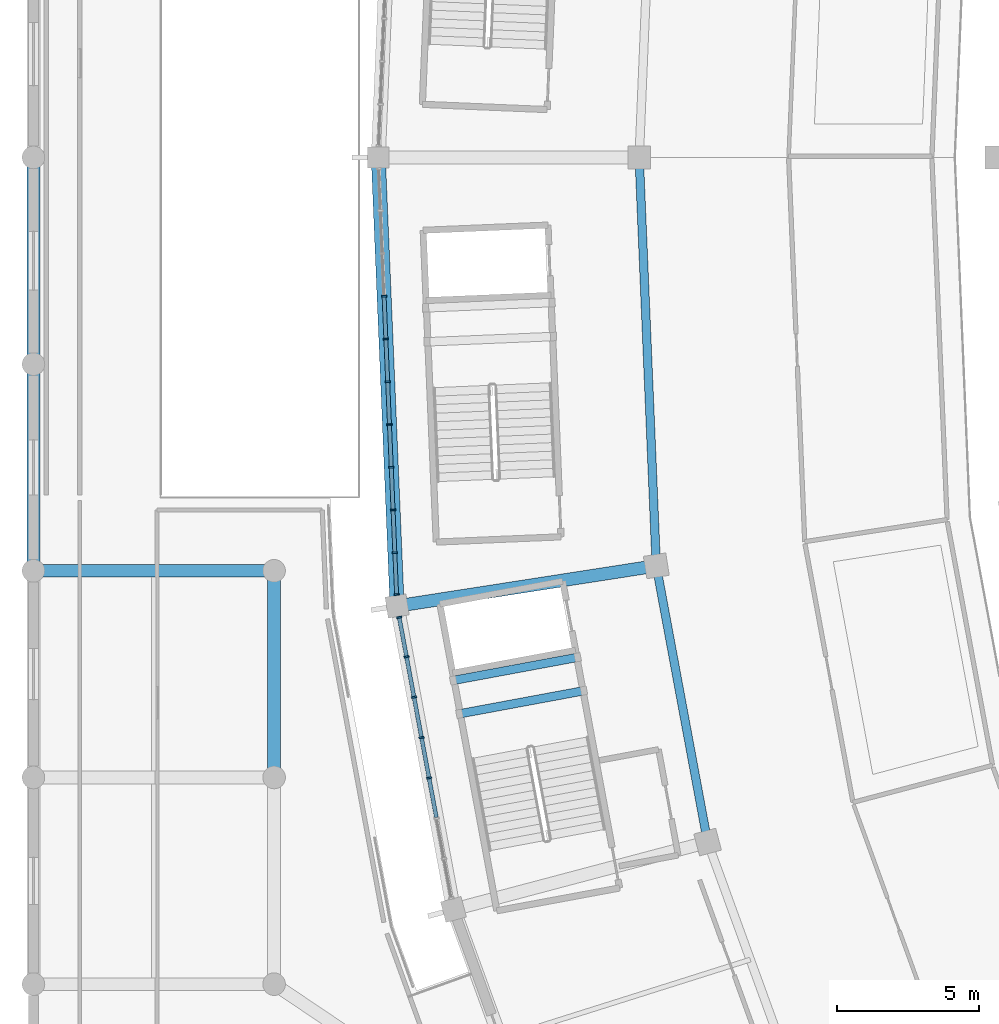
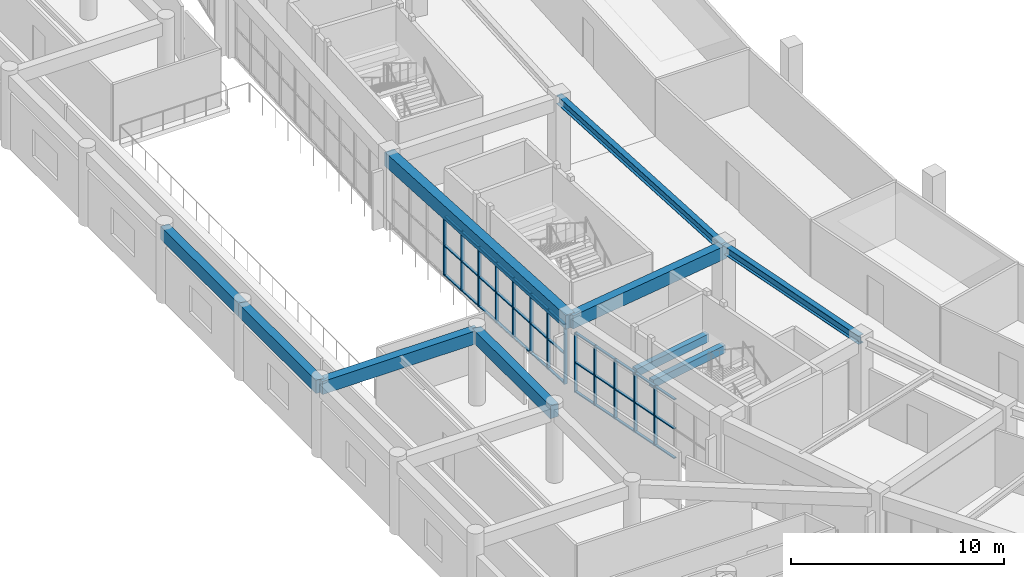
# One storey, part 27 of 141: 49 members, 10 beams, 2 elements without a shape of their own.
"""IFC4 building model written with IfcOpenShell, lengths in metres."""

from ifc_helpers import new_model, si_unit, direction, frame, origin, origin_2d, place, context, subcontext, project, spatial, rectangle, i_section, extrude, material, layer, layer_set, material_profile, profile_set, type_object, element, aggregate, save


model = new_model("IFC4")

# Units and contexts
model_context = context("Model", 3, precision=1e-05, world=origin(), true_north=direction((0.0, 1.0)))
body_context = subcontext(model_context, "Body", "Model", "MODEL_VIEW")
ifc_project = project(units=[si_unit("LENGTHUNIT", "METRE"), si_unit("AREAUNIT", "SQUARE_METRE"), si_unit("VOLUMEUNIT", "CUBIC_METRE"), si_unit("PLANEANGLEUNIT", "RADIAN"), si_unit("MASSUNIT", "GRAM", prefix="KILO")], contexts=[model_context])

# Site, building, storey
site_placement = place(None, origin())
site = spatial("IfcSite", under=ifc_project, at=site_placement, CompositionType="ELEMENT")
building_placement = place(site_placement, origin())
building = spatial("IfcBuilding", under=site, at=building_placement, Name="Mphavela Belvedere Stadium", CompositionType="ELEMENT")
storey_placement = place(building_placement, frame((0.0, 0.0, 14.699951171875)))
storey = spatial("IfcBuildingStorey", under=building, at=storey_placement, Name="L03", CompositionType="ELEMENT", Elevation=14.699951171875)

# Beams
ifc_material_1 = material(Name="Concrete C40/50", Category="concrete")
ifc_material_profile_1 = material_profile(ifc_material_1, rectangle(XDim=0.300048828125, YDim=0.449951171875, at=origin_2d()), Name="RC 300x450")
ifc_profile_set_1 = profile_set([ifc_material_profile_1], Name="Concrete C40/50")
beam_type_1 = type_object("IfcBeamType", Name="BM-RC300x450", PredefinedType="BEAM", material=ifc_profile_set_1)
beam_1_placement = place(storey_placement, frame((19.440673828125, 68.16357421875, 1.824951171875), z_axis=(-0.9831891563, -0.182589931088, 0.0), x_axis=(0.182589931088, -0.9831891563, 0.0)))
element("IfcBeam", 1, at=beam_1_placement, inside=storey, type_object=beam_type_1, Name="Core C09 landing trimmer beam L03-1", PredefinedType="BEAM", context=body_context, shape_type="SweptSolid", body=[
    extrude(rectangle(XDim=0.300048828125, YDim=0.449951171875, at=origin_2d()), origin(), (0.0, 0.0, 1.0), 4.469970703125),
])
beam_2_placement = place(storey_placement, frame((19.2216796875, 69.343505859375, 1.824951171875), z_axis=(-0.983190977087, -0.182580126453, 0.0), x_axis=(0.182580126453, -0.983190977087, 0.0)))
element("IfcBeam", 2, at=beam_2_placement, inside=storey, type_object=beam_type_1, Name="Core C09 landing trimmer beam L03-2", PredefinedType="BEAM", context=body_context, shape_type="SweptSolid", body=[
    extrude(rectangle(XDim=0.300048828125, YDim=0.449951171875, at=origin_2d()), origin(), (0.0, 0.0, 1.0), 4.47021484375),
])
ifc_material_2 = material(Name="Concrete C40/50", Category="concrete")
ifc_material_profile_2 = material_profile(ifc_material_2, rectangle(XDim=0.449951171875, YDim=0.75, at=origin_2d()), Name="RC 450x750")
ifc_profile_set_2 = profile_set([ifc_material_profile_2], Name="Concrete C40/50")
beam_type_2 = type_object("IfcBeamType", Name="BM-RC450x750", PredefinedType="BEAM", material=ifc_profile_set_2)
beam_3_placement = place(storey_placement, frame((22.0, 72.5751953125, 3.875), z_axis=(-0.988182369303, -0.153282761586, 0.0), x_axis=(0.153282761586, -0.988182369303, 0.0)))
element("IfcBeam", 3, at=beam_3_placement, inside=storey, type_object=beam_type_2, Name="Radial concourse girder L03 R3R4-26", PredefinedType="BEAM", context=body_context, shape_type="SweptSolid", body=[
    extrude(rectangle(XDim=0.449951171875, YDim=0.75, at=origin_2d()), origin(), (0.0, 0.0, 1.0), 9.264892578125),
])
beam_4_placement = place(storey_placement, frame((0.0, 72.39990234375, 3.864990234375), z_axis=(1.0, 0.0, 0.0), x_axis=(0.0, 1.0, 0.0)))
element("IfcBeam", 4, at=beam_4_placement, inside=storey, type_object=beam_type_2, Name="West Planted Eaves Peristyle Colonnade entablature beam X L03 1-4", PredefinedType="BEAM", context=body_context, shape_type="SweptSolid", body=[
    extrude(rectangle(XDim=0.449951171875, YDim=0.75, at=origin_2d()), origin(), (0.0, 0.0, 1.0), 8.5),
])
for number, where, z_axis, x_axis, name in (
    (5, (0.0, 72.39990234375, 3.864990234375), (0.0, 1.0, 0.0), (-1.0, 0.0, 0.0), "West Planted Eaves Peristyle Colonnade entablature beam Y L03 1-4"),
    (6, (0.0, 79.699951171875, 3.864990234375), (0.0, 1.0, 0.0), (-1.0, 0.0, 0.0), "West Planted Eaves Peristyle Colonnade entablature beam Y L03 1-5"),
):
    element("IfcBeam", number, at=place(storey_placement, frame(where, z_axis=z_axis, x_axis=x_axis)), inside=storey, type_object=beam_type_2, Name=name, PredefinedType="BEAM", context=body_context, shape_type="SweptSolid", body=[
        extrude(rectangle(XDim=0.449951171875, YDim=0.75, at=origin_2d()), origin(), (0.0, 0.0, 1.0), 7.300048828125),
    ])
beam_5_placement = place(storey_placement, frame((8.5, 65.10009765625, 3.864990234375), z_axis=(0.0, 1.0, 0.0), x_axis=(-1.0, 0.0, 0.0)))
element("IfcBeam", 7, at=beam_5_placement, inside=storey, type_object=beam_type_2, Name="West Planted Eaves Peristyle Colonnade entablature beam Y L03 2-3", PredefinedType="BEAM", context=body_context, shape_type="SweptSolid", body=[
    extrude(rectangle(XDim=0.449951171875, YDim=0.75, at=origin_2d()), origin(), (0.0, 0.0, 1.0), 7.2998046875),
])
ifc_material_3 = material(Name="Concrete C40/50", Category="concrete")
ifc_material_profile_3 = material_profile(ifc_material_3, rectangle(XDim=0.5, YDim=0.800048828125, at=origin_2d()), Name="RC 500x800")
ifc_profile_set_3 = profile_set([ifc_material_profile_3], Name="Concrete C40/50")
beam_type_3 = type_object("IfcBeamType", Name="BM-SPANDREL-800", PredefinedType="SPANDREL", material=ifc_profile_set_3)
beam_6_placement = place(storey_placement, frame((12.179931640625, 87.0, 3.85009765625), z_axis=(0.041903963155, -0.999121643181, 0.0), x_axis=(0.999121643181, 0.041903963155, 0.0)))
element("IfcBeam", 8, at=beam_6_placement, inside=storey, type_object=beam_type_3, Name="Circumferential girder L03 R4-25", PredefinedType="SPANDREL", context=body_context, shape_type="SweptSolid", body=[
    extrude(rectangle(XDim=0.5, YDim=0.800048828125, at=origin_2d()), origin(), (0.0, 0.0, 1.0), 15.85888671875),
])
ifc_material_4 = material(Name="Steel S355", Category="steel")
ifc_material_profile_4 = material_profile(ifc_material_4, i_section(OverallWidth=0.300048828125, OverallDepth=0.489990234375, WebThickness=0.011962890625, FlangeThickness=0.02294921875, at=origin_2d()), Name="HEA 500")
ifc_profile_set_4 = profile_set([ifc_material_profile_4], Name="Steel S355")
beam_type_4 = type_object("IfcBeamType", Name="BM-STEEL-HEA500", PredefinedType="BEAM", material=ifc_profile_set_4)
beam_7_placement = place(storey_placement, frame((21.39501953125, 87.0, 4.005126953125), z_axis=(0.041903450766, -0.99912166467, 0.0), x_axis=(0.99912166467, 0.041903450766, 0.0)))
element("IfcBeam", 9, at=beam_7_placement, inside=storey, type_object=beam_type_4, Name="Circumferential girder L03 R3-25", PredefinedType="BEAM", context=body_context, shape_type="SweptSolid", body=[
    extrude(i_section(OverallWidth=0.300048828125, OverallDepth=0.489990234375, WebThickness=0.011962890625, FlangeThickness=0.02294921875, at=origin_2d()), origin(), (0.0, 0.0, 1.0), 14.4375),
])
beam_8_placement = place(storey_placement, frame((22.0, 72.5751953125, 4.005126953125), z_axis=(0.182638056683, -0.983180217585, 0.0), x_axis=(0.983180217585, 0.182638056683, 0.0)))
element("IfcBeam", 10, at=beam_8_placement, inside=storey, type_object=beam_type_4, Name="Circumferential girder L03 R3-26", PredefinedType="BEAM", context=body_context, shape_type="SweptSolid", body=[
    extrude(i_section(OverallWidth=0.300048828125, OverallDepth=0.489990234375, WebThickness=0.011962890625, FlangeThickness=0.02294921875, at=origin_2d()), origin(), (0.0, 0.0, 1.0), 9.924072265625),
])

# Curtain wall, members
ifc_material_5 = material(Name="Anodised bronze unitised curtain wall framing")
ifc_layer_1 = layer(ifc_material_5, 0.18994140625)
ifc_layer_set_1 = layer_set([ifc_layer_1], Name="Anodised bronze unitised curtain wall framing")
curtain_wall_type_1 = type_object("IfcCurtainWallType", Name="CW-UNIT-03", PredefinedType="USERDEFINED", material=ifc_layer_set_1)
curtain_wall_1_placement = place(storey_placement, origin())
curtain_wall_1 = element("IfcCurtainWall", 11, at=curtain_wall_1_placement, inside=storey, type_object=curtain_wall_type_1, Name="Belvedere colonnade curtain wall L03-25", ObjectType="UNITISED CURTAIN WALL", PredefinedType="USERDEFINED")
ifc_material_6 = material(Name="Anodised bronze extruded aluminium", Category="aluminium")
ifc_material_profile_5 = material_profile(ifc_material_6, rectangle(XDim=0.179931640625, YDim=0.06494140625, at=origin_2d()), Name="CW-MUL 180x65")
ifc_profile_set_5 = profile_set([ifc_material_profile_5], Name="Anodised bronze extruded aluminium")
member_type_1 = type_object("IfcMemberType", Name="CWM-180x65", PredefinedType="MULLION", material=ifc_profile_set_5)
member_1_placement = place(storey_placement, frame((12.385498046875, 82.097412109375, 0.0), z_axis=(0.0, 0.0, 1.0), x_axis=(0.999121336582, 0.041911272788, 0.0)))
member_1 = element("IfcMember", 12, at=member_1_placement, type_object=member_type_1, Name="CW-03 mullion 4", PredefinedType="MULLION", context=body_context, shape_type="SweptSolid", body=[
    extrude(rectangle(XDim=0.179931640625, YDim=0.06494140625, at=origin_2d()), origin(), (0.0, 0.0, 1.0), 3.420166015625),
])
member_2_placement = place(storey_placement, frame((12.448974609375, 80.58740234375, 0.0), z_axis=(0.0, 0.0, 1.0), x_axis=(0.999121336582, 0.041911272788, 0.0)))
member_2 = element("IfcMember", 13, at=member_2_placement, type_object=member_type_1, Name="CW-03 mullion 5", PredefinedType="MULLION", context=body_context, shape_type="SweptSolid", body=[
    extrude(rectangle(XDim=0.179931640625, YDim=0.06494140625, at=origin_2d()), origin(), (0.0, 0.0, 1.0), 3.420166015625),
])
member_3_placement = place(storey_placement, frame((12.51220703125, 79.077392578125, 0.0), z_axis=(0.0, 0.0, 1.0), x_axis=(0.999121336582, 0.041911272788, 0.0)))
member_3 = element("IfcMember", 14, at=member_3_placement, type_object=member_type_1, Name="CW-03 mullion 6", PredefinedType="MULLION", context=body_context, shape_type="SweptSolid", body=[
    extrude(rectangle(XDim=0.179931640625, YDim=0.06494140625, at=origin_2d()), origin(), (0.0, 0.0, 1.0), 3.420166015625),
])
member_4_placement = place(storey_placement, frame((12.57568359375, 77.567626953125, 0.0), z_axis=(0.0, 0.0, 1.0), x_axis=(0.999121336582, 0.041911272788, 0.0)))
member_4 = element("IfcMember", 15, at=member_4_placement, type_object=member_type_1, Name="CW-03 mullion 7", PredefinedType="MULLION", context=body_context, shape_type="SweptSolid", body=[
    extrude(rectangle(XDim=0.179931640625, YDim=0.06494140625, at=origin_2d()), origin(), (0.0, 0.0, 1.0), 3.420166015625),
])
member_5_placement = place(storey_placement, frame((12.638916015625, 76.0576171875, 0.0), z_axis=(0.0, 0.0, 1.0), x_axis=(0.999121336582, 0.041911272788, 0.0)))
member_5 = element("IfcMember", 16, at=member_5_placement, type_object=member_type_1, Name="CW-03 mullion 8", PredefinedType="MULLION", context=body_context, shape_type="SweptSolid", body=[
    extrude(rectangle(XDim=0.179931640625, YDim=0.06494140625, at=origin_2d()), origin(), (0.0, 0.0, 1.0), 3.420166015625),
])
member_6_placement = place(storey_placement, frame((12.702392578125, 74.547607421875, 0.0), z_axis=(0.0, 0.0, 1.0), x_axis=(0.999121336582, 0.041911272788, 0.0)))
member_6 = element("IfcMember", 17, at=member_6_placement, type_object=member_type_1, Name="CW-03 mullion 9", PredefinedType="MULLION", context=body_context, shape_type="SweptSolid", body=[
    extrude(rectangle(XDim=0.179931640625, YDim=0.06494140625, at=origin_2d()), origin(), (0.0, 0.0, 1.0), 3.420166015625),
])
member_7_placement = place(storey_placement, frame((12.765625, 73.03759765625, 0.0), z_axis=(0.0, 0.0, 1.0), x_axis=(0.999121336582, 0.041911272788, 0.0)))
member_7 = element("IfcMember", 18, at=member_7_placement, type_object=member_type_1, Name="CW-03 mullion 10", PredefinedType="MULLION", context=body_context, shape_type="SweptSolid", body=[
    extrude(rectangle(XDim=0.179931640625, YDim=0.06494140625, at=origin_2d()), origin(), (0.0, 0.0, 1.0), 3.420166015625),
])
member_8_placement = place(storey_placement, frame((12.82763671875, 71.56005859375, 0.0), z_axis=(0.0, 0.0, 1.0), x_axis=(0.999121336582, 0.041911272788, 0.0)))
member_8 = element("IfcMember", 19, at=member_8_placement, type_object=member_type_1, Name="CW-03 mullion 11", PredefinedType="MULLION", context=body_context, shape_type="SweptSolid", body=[
    extrude(rectangle(XDim=0.179931640625, YDim=0.06494140625, at=origin_2d()), origin(), (0.0, 0.0, 1.0), 3.420166015625),
])

ifc_material_7 = material(Name="Anodised bronze unitised curtain wall framing")
ifc_layer_2 = layer(ifc_material_7, 0.195068359375)
ifc_layer_set_2 = layer_set([ifc_layer_2], Name="Anodised bronze unitised curtain wall framing")
curtain_wall_type_2 = type_object("IfcCurtainWallType", Name="CW-UNIT-04", PredefinedType="USERDEFINED", material=ifc_layer_set_2)
curtain_wall_2_placement = place(storey_placement, origin())
curtain_wall_2 = element("IfcCurtainWall", 20, at=curtain_wall_2_placement, inside=storey, type_object=curtain_wall_type_2, Name="Belvedere colonnade curtain wall L03-26", ObjectType="UNITISED CURTAIN WALL", PredefinedType="USERDEFINED")
member_9_placement = place(storey_placement, frame((12.918701171875, 70.75634765625, 0.0), z_axis=(0.0, 0.0, 1.0), x_axis=(0.983181487142, 0.182631222254, 0.0)))
member_9 = element("IfcMember", 21, at=member_9_placement, type_object=member_type_1, Name="CW-04 mullion 1", PredefinedType="MULLION", context=body_context, shape_type="SweptSolid", body=[
    extrude(rectangle(XDim=0.179931640625, YDim=0.06494140625, at=origin_2d()), origin(), (0.0, 0.0, 1.0), 3.420166015625),
])
member_10_placement = place(storey_placement, frame((13.177734375, 69.362060546875, 0.0), z_axis=(0.0, 0.0, 1.0), x_axis=(0.983181487142, 0.182631222254, 0.0)))
member_10 = element("IfcMember", 22, at=member_10_placement, type_object=member_type_1, Name="CW-04 mullion 2", PredefinedType="MULLION", context=body_context, shape_type="SweptSolid", body=[
    extrude(rectangle(XDim=0.179931640625, YDim=0.06494140625, at=origin_2d()), origin(), (0.0, 0.0, 1.0), 3.420166015625),
])
member_11_placement = place(storey_placement, frame((13.442626953125, 67.935791015625, 0.0), z_axis=(0.0, 0.0, 1.0), x_axis=(0.983181487142, 0.182631222254, 0.0)))
member_11 = element("IfcMember", 23, at=member_11_placement, type_object=member_type_1, Name="CW-04 mullion 3", PredefinedType="MULLION", context=body_context, shape_type="SweptSolid", body=[
    extrude(rectangle(XDim=0.179931640625, YDim=0.06494140625, at=origin_2d()), origin(), (0.0, 0.0, 1.0), 3.420166015625),
])
member_12_placement = place(storey_placement, frame((13.70751953125, 66.509521484375, 0.0), z_axis=(0.0, 0.0, 1.0), x_axis=(0.983181487142, 0.182631222254, 0.0)))
member_12 = element("IfcMember", 24, at=member_12_placement, type_object=member_type_1, Name="CW-04 mullion 4", PredefinedType="MULLION", context=body_context, shape_type="SweptSolid", body=[
    extrude(rectangle(XDim=0.179931640625, YDim=0.06494140625, at=origin_2d()), origin(), (0.0, 0.0, 1.0), 3.420166015625),
])
member_13_placement = place(storey_placement, frame((13.972412109375, 65.0830078125, 0.0), z_axis=(0.0, 0.0, 1.0), x_axis=(0.983181487142, 0.182631222254, 0.0)))
member_13 = element("IfcMember", 25, at=member_13_placement, type_object=member_type_1, Name="CW-04 mullion 5", PredefinedType="MULLION", context=body_context, shape_type="SweptSolid", body=[
    extrude(rectangle(XDim=0.179931640625, YDim=0.06494140625, at=origin_2d()), origin(), (0.0, 0.0, 1.0), 3.420166015625),
])

# Member
ifc_material_8 = material(Name="Anodised bronze extruded aluminium", Category="aluminium")
ifc_material_profile_6 = material_profile(ifc_material_8, rectangle(XDim=0.139892578125, YDim=0.06005859375, at=origin_2d()), Name="CW-TRN 140x60")
ifc_profile_set_6 = profile_set([ifc_material_profile_6], Name="Anodised bronze extruded aluminium")
member_type_2 = type_object("IfcMemberType", Name="CWT-140x60", PredefinedType="USERDEFINED", material=ifc_profile_set_6)
member_14_placement = place(storey_placement, frame((12.386962890625, 82.06494140625, 0.030029296875), z_axis=(0.041862240457, -0.999123392191, 0.0), x_axis=(0.999123392191, 0.041862240457, 0.0)))
member_14 = element("IfcMember", 26, at=member_14_placement, type_object=member_type_2, Name="CW-03 transom 4.1", ObjectType="TRANSOM", PredefinedType="USERDEFINED", context=body_context, shape_type="SweptSolid", body=[
    extrude(rectangle(XDim=0.139892578125, YDim=0.06005859375, at=origin_2d()), origin(), (0.0, 0.0, 1.0), 1.4462890625),
])

member_15_placement = place(storey_placement, frame((12.386962890625, 82.06494140625, 1.7099609375), z_axis=(0.041862240457, -0.999123392191, 0.0), x_axis=(0.999123392191, 0.041862240457, 0.0)))
member_15 = element("IfcMember", 27, at=member_15_placement, type_object=member_type_2, Name="CW-03 transom 4.2", ObjectType="TRANSOM", PredefinedType="USERDEFINED", context=body_context, shape_type="SweptSolid", body=[
    extrude(rectangle(XDim=0.139892578125, YDim=0.06005859375, at=origin_2d()), origin(), (0.0, 0.0, 1.0), 1.4462890625),
])

member_16_placement = place(storey_placement, frame((12.386962890625, 82.06494140625, 3.39013671875), z_axis=(0.041862240457, -0.999123392191, 0.0), x_axis=(0.999123392191, 0.041862240457, 0.0)))
member_16 = element("IfcMember", 28, at=member_16_placement, type_object=member_type_2, Name="CW-03 transom 4.3", ObjectType="TRANSOM", PredefinedType="USERDEFINED", context=body_context, shape_type="SweptSolid", body=[
    extrude(rectangle(XDim=0.139892578125, YDim=0.06005859375, at=origin_2d()), origin(), (0.0, 0.0, 1.0), 1.4462890625),
])

member_17_placement = place(storey_placement, frame((12.450439453125, 80.554931640625, 0.030029296875), z_axis=(0.041862240457, -0.999123392191, 0.0), x_axis=(0.999123392191, 0.041862240457, 0.0)))
member_17 = element("IfcMember", 29, at=member_17_placement, type_object=member_type_2, Name="CW-03 transom 5.1", ObjectType="TRANSOM", PredefinedType="USERDEFINED", context=body_context, shape_type="SweptSolid", body=[
    extrude(rectangle(XDim=0.139892578125, YDim=0.06005859375, at=origin_2d()), origin(), (0.0, 0.0, 1.0), 1.4462890625),
])

member_18_placement = place(storey_placement, frame((12.450439453125, 80.554931640625, 1.7099609375), z_axis=(0.041862240457, -0.999123392191, 0.0), x_axis=(0.999123392191, 0.041862240457, 0.0)))
member_18 = element("IfcMember", 30, at=member_18_placement, type_object=member_type_2, Name="CW-03 transom 5.2", ObjectType="TRANSOM", PredefinedType="USERDEFINED", context=body_context, shape_type="SweptSolid", body=[
    extrude(rectangle(XDim=0.139892578125, YDim=0.06005859375, at=origin_2d()), origin(), (0.0, 0.0, 1.0), 1.4462890625),
])

member_19_placement = place(storey_placement, frame((12.450439453125, 80.554931640625, 3.39013671875), z_axis=(0.041862240457, -0.999123392191, 0.0), x_axis=(0.999123392191, 0.041862240457, 0.0)))
member_19 = element("IfcMember", 31, at=member_19_placement, type_object=member_type_2, Name="CW-03 transom 5.3", ObjectType="TRANSOM", PredefinedType="USERDEFINED", context=body_context, shape_type="SweptSolid", body=[
    extrude(rectangle(XDim=0.139892578125, YDim=0.06005859375, at=origin_2d()), origin(), (0.0, 0.0, 1.0), 1.4462890625),
])

member_20_placement = place(storey_placement, frame((12.513671875, 79.044921875, 0.030029296875), z_axis=(0.041869301771, -0.999123096305, 0.0), x_axis=(0.999123096305, 0.041869301771, 0.0)))
member_20 = element("IfcMember", 32, at=member_20_placement, type_object=member_type_2, Name="CW-03 transom 6.1", ObjectType="TRANSOM", PredefinedType="USERDEFINED", context=body_context, shape_type="SweptSolid", body=[
    extrude(rectangle(XDim=0.139892578125, YDim=0.06005859375, at=origin_2d()), origin(), (0.0, 0.0, 1.0), 1.446044921875),
])

member_21_placement = place(storey_placement, frame((12.513671875, 79.044921875, 1.7099609375), z_axis=(0.041869301771, -0.999123096305, 0.0), x_axis=(0.999123096305, 0.041869301771, 0.0)))
member_21 = element("IfcMember", 33, at=member_21_placement, type_object=member_type_2, Name="CW-03 transom 6.2", ObjectType="TRANSOM", PredefinedType="USERDEFINED", context=body_context, shape_type="SweptSolid", body=[
    extrude(rectangle(XDim=0.139892578125, YDim=0.06005859375, at=origin_2d()), origin(), (0.0, 0.0, 1.0), 1.446044921875),
])

member_22_placement = place(storey_placement, frame((12.513671875, 79.044921875, 3.39013671875), z_axis=(0.041869301771, -0.999123096305, 0.0), x_axis=(0.999123096305, 0.041869301771, 0.0)))
member_22 = element("IfcMember", 34, at=member_22_placement, type_object=member_type_2, Name="CW-03 transom 6.3", ObjectType="TRANSOM", PredefinedType="USERDEFINED", context=body_context, shape_type="SweptSolid", body=[
    extrude(rectangle(XDim=0.139892578125, YDim=0.06005859375, at=origin_2d()), origin(), (0.0, 0.0, 1.0), 1.446044921875),
])

member_23_placement = place(storey_placement, frame((12.576904296875, 77.53515625, 0.030029296875), z_axis=(0.042030742213, -0.999116317907, 0.0), x_axis=(0.999116317907, 0.042030742213, 0.0)))
member_23 = element("IfcMember", 35, at=member_23_placement, type_object=member_type_2, Name="CW-03 transom 7.1", ObjectType="TRANSOM", PredefinedType="USERDEFINED", context=body_context, shape_type="SweptSolid", body=[
    extrude(rectangle(XDim=0.139892578125, YDim=0.06005859375, at=origin_2d()), origin(), (0.0, 0.0, 1.0), 1.4462890625),
])

member_24_placement = place(storey_placement, frame((12.576904296875, 77.53515625, 1.7099609375), z_axis=(0.042030742213, -0.999116317907, 0.0), x_axis=(0.999116317907, 0.042030742213, 0.0)))
member_24 = element("IfcMember", 36, at=member_24_placement, type_object=member_type_2, Name="CW-03 transom 7.2", ObjectType="TRANSOM", PredefinedType="USERDEFINED", context=body_context, shape_type="SweptSolid", body=[
    extrude(rectangle(XDim=0.139892578125, YDim=0.06005859375, at=origin_2d()), origin(), (0.0, 0.0, 1.0), 1.4462890625),
])

member_25_placement = place(storey_placement, frame((12.576904296875, 77.53515625, 3.39013671875), z_axis=(0.042030742213, -0.999116317907, 0.0), x_axis=(0.999116317907, 0.042030742213, 0.0)))
member_25 = element("IfcMember", 37, at=member_25_placement, type_object=member_type_2, Name="CW-03 transom 7.3", ObjectType="TRANSOM", PredefinedType="USERDEFINED", context=body_context, shape_type="SweptSolid", body=[
    extrude(rectangle(XDim=0.139892578125, YDim=0.06005859375, at=origin_2d()), origin(), (0.0, 0.0, 1.0), 1.4462890625),
])

member_26_placement = place(storey_placement, frame((12.640380859375, 76.025146484375, 0.030029296875), z_axis=(0.041862240457, -0.999123392191, 0.0), x_axis=(0.999123392191, 0.041862240457, 0.0)))
member_26 = element("IfcMember", 38, at=member_26_placement, type_object=member_type_2, Name="CW-03 transom 8.1", ObjectType="TRANSOM", PredefinedType="USERDEFINED", context=body_context, shape_type="SweptSolid", body=[
    extrude(rectangle(XDim=0.139892578125, YDim=0.06005859375, at=origin_2d()), origin(), (0.0, 0.0, 1.0), 1.4462890625),
])

member_27_placement = place(storey_placement, frame((12.640380859375, 76.025146484375, 1.7099609375), z_axis=(0.041862240457, -0.999123392191, 0.0), x_axis=(0.999123392191, 0.041862240457, 0.0)))
member_27 = element("IfcMember", 39, at=member_27_placement, type_object=member_type_2, Name="CW-03 transom 8.2", ObjectType="TRANSOM", PredefinedType="USERDEFINED", context=body_context, shape_type="SweptSolid", body=[
    extrude(rectangle(XDim=0.139892578125, YDim=0.06005859375, at=origin_2d()), origin(), (0.0, 0.0, 1.0), 1.4462890625),
])

member_28_placement = place(storey_placement, frame((12.640380859375, 76.025146484375, 3.39013671875), z_axis=(0.041862240457, -0.999123392191, 0.0), x_axis=(0.999123392191, 0.041862240457, 0.0)))
member_28 = element("IfcMember", 40, at=member_28_placement, type_object=member_type_2, Name="CW-03 transom 8.3", ObjectType="TRANSOM", PredefinedType="USERDEFINED", context=body_context, shape_type="SweptSolid", body=[
    extrude(rectangle(XDim=0.139892578125, YDim=0.06005859375, at=origin_2d()), origin(), (0.0, 0.0, 1.0), 1.4462890625),
])

member_29_placement = place(storey_placement, frame((12.70361328125, 74.51513671875, 0.030029296875), z_axis=(0.042030742213, -0.999116317907, 0.0), x_axis=(0.999116317907, 0.042030742213, 0.0)))
member_29 = element("IfcMember", 41, at=member_29_placement, type_object=member_type_2, Name="CW-03 transom 9.1", ObjectType="TRANSOM", PredefinedType="USERDEFINED", context=body_context, shape_type="SweptSolid", body=[
    extrude(rectangle(XDim=0.139892578125, YDim=0.06005859375, at=origin_2d()), origin(), (0.0, 0.0, 1.0), 1.4462890625),
])

member_30_placement = place(storey_placement, frame((12.70361328125, 74.51513671875, 1.7099609375), z_axis=(0.042030742213, -0.999116317907, 0.0), x_axis=(0.999116317907, 0.042030742213, 0.0)))
member_30 = element("IfcMember", 42, at=member_30_placement, type_object=member_type_2, Name="CW-03 transom 9.2", ObjectType="TRANSOM", PredefinedType="USERDEFINED", context=body_context, shape_type="SweptSolid", body=[
    extrude(rectangle(XDim=0.139892578125, YDim=0.06005859375, at=origin_2d()), origin(), (0.0, 0.0, 1.0), 1.4462890625),
])

member_31_placement = place(storey_placement, frame((12.70361328125, 74.51513671875, 3.39013671875), z_axis=(0.042030742213, -0.999116317907, 0.0), x_axis=(0.999116317907, 0.042030742213, 0.0)))
member_31 = element("IfcMember", 43, at=member_31_placement, type_object=member_type_2, Name="CW-03 transom 9.3", ObjectType="TRANSOM", PredefinedType="USERDEFINED", context=body_context, shape_type="SweptSolid", body=[
    extrude(rectangle(XDim=0.139892578125, YDim=0.06005859375, at=origin_2d()), origin(), (0.0, 0.0, 1.0), 1.4462890625),
])

member_32_placement = place(storey_placement, frame((12.76708984375, 73.005126953125, 0.030029296875), z_axis=(0.041788559858, -0.999126476611, 0.0), x_axis=(0.999126476611, 0.041788559858, 0.0)))
member_32 = element("IfcMember", 44, at=member_32_placement, type_object=member_type_2, Name="CW-03 transom 10.1", ObjectType="TRANSOM", PredefinedType="USERDEFINED", context=body_context, shape_type="SweptSolid", body=[
    extrude(rectangle(XDim=0.139892578125, YDim=0.06005859375, at=origin_2d()), origin(), (0.0, 0.0, 1.0), 1.413818359375),
])

member_33_placement = place(storey_placement, frame((12.76708984375, 73.005126953125, 1.7099609375), z_axis=(0.041788559858, -0.999126476611, 0.0), x_axis=(0.999126476611, 0.041788559858, 0.0)))
member_33 = element("IfcMember", 45, at=member_33_placement, type_object=member_type_2, Name="CW-03 transom 10.2", ObjectType="TRANSOM", PredefinedType="USERDEFINED", context=body_context, shape_type="SweptSolid", body=[
    extrude(rectangle(XDim=0.139892578125, YDim=0.06005859375, at=origin_2d()), origin(), (0.0, 0.0, 1.0), 1.413818359375),
])

member_34_placement = place(storey_placement, frame((12.76708984375, 73.005126953125, 3.39013671875), z_axis=(0.041788559858, -0.999126476611, 0.0), x_axis=(0.999126476611, 0.041788559858, 0.0)))
member_34 = element("IfcMember", 46, at=member_34_placement, type_object=member_type_2, Name="CW-03 transom 10.3", ObjectType="TRANSOM", PredefinedType="USERDEFINED", context=body_context, shape_type="SweptSolid", body=[
    extrude(rectangle(XDim=0.139892578125, YDim=0.06005859375, at=origin_2d()), origin(), (0.0, 0.0, 1.0), 1.413818359375),
])

aggregate(curtain_wall_1, [member_1, member_2, member_3, member_4, member_5, member_6, member_7, member_8, member_14, member_15, member_16, member_17, member_18, member_19, member_20, member_21, member_22, member_23, member_24, member_25, member_26, member_27, member_28, member_29, member_30, member_31, member_32, member_33, member_34])

member_35_placement = place(storey_placement, frame((12.924560546875, 70.724365234375, 0.030029296875), z_axis=(0.182599668928, -0.983187347817, 0.0), x_axis=(0.983187347817, 0.182599668928, 0.0)))
member_35 = element("IfcMember", 47, at=member_35_placement, type_object=member_type_2, Name="CW-04 transom 1.1", ObjectType="TRANSOM", PredefinedType="USERDEFINED", context=body_context, shape_type="SweptSolid", body=[
    extrude(rectangle(XDim=0.139892578125, YDim=0.06005859375, at=origin_2d()), origin(), (0.0, 0.0, 1.0), 1.35302734375),
])

member_36_placement = place(storey_placement, frame((12.924560546875, 70.724365234375, 1.7099609375), z_axis=(0.182599668928, -0.983187347817, 0.0), x_axis=(0.983187347817, 0.182599668928, 0.0)))
member_36 = element("IfcMember", 48, at=member_36_placement, type_object=member_type_2, Name="CW-04 transom 1.2", ObjectType="TRANSOM", PredefinedType="USERDEFINED", context=body_context, shape_type="SweptSolid", body=[
    extrude(rectangle(XDim=0.139892578125, YDim=0.06005859375, at=origin_2d()), origin(), (0.0, 0.0, 1.0), 1.35302734375),
])

member_37_placement = place(storey_placement, frame((12.924560546875, 70.724365234375, 3.39013671875), z_axis=(0.182599668928, -0.983187347817, 0.0), x_axis=(0.983187347817, 0.182599668928, 0.0)))
member_37 = element("IfcMember", 49, at=member_37_placement, type_object=member_type_2, Name="CW-04 transom 1.3", ObjectType="TRANSOM", PredefinedType="USERDEFINED", context=body_context, shape_type="SweptSolid", body=[
    extrude(rectangle(XDim=0.139892578125, YDim=0.06005859375, at=origin_2d()), origin(), (0.0, 0.0, 1.0), 1.35302734375),
])

member_38_placement = place(storey_placement, frame((13.18359375, 69.330078125, 0.030029296875), z_axis=(0.182713849827, -0.983166135036, 0.0), x_axis=(0.983166135036, 0.182713849827, 0.0)))
member_38 = element("IfcMember", 50, at=member_38_placement, type_object=member_type_2, Name="CW-04 transom 2.1", ObjectType="TRANSOM", PredefinedType="USERDEFINED", context=body_context, shape_type="SweptSolid", body=[
    extrude(rectangle(XDim=0.139892578125, YDim=0.06005859375, at=origin_2d()), origin(), (0.0, 0.0, 1.0), 1.3857421875),
])

member_39_placement = place(storey_placement, frame((13.18359375, 69.330078125, 1.7099609375), z_axis=(0.182713849827, -0.983166135036, 0.0), x_axis=(0.983166135036, 0.182713849827, 0.0)))
member_39 = element("IfcMember", 51, at=member_39_placement, type_object=member_type_2, Name="CW-04 transom 2.2", ObjectType="TRANSOM", PredefinedType="USERDEFINED", context=body_context, shape_type="SweptSolid", body=[
    extrude(rectangle(XDim=0.139892578125, YDim=0.06005859375, at=origin_2d()), origin(), (0.0, 0.0, 1.0), 1.3857421875),
])

member_40_placement = place(storey_placement, frame((13.18359375, 69.330078125, 3.39013671875), z_axis=(0.182713849827, -0.983166135036, 0.0), x_axis=(0.983166135036, 0.182713849827, 0.0)))
member_40 = element("IfcMember", 52, at=member_40_placement, type_object=member_type_2, Name="CW-04 transom 2.3", ObjectType="TRANSOM", PredefinedType="USERDEFINED", context=body_context, shape_type="SweptSolid", body=[
    extrude(rectangle(XDim=0.139892578125, YDim=0.06005859375, at=origin_2d()), origin(), (0.0, 0.0, 1.0), 1.3857421875),
])

member_41_placement = place(storey_placement, frame((13.448486328125, 67.90380859375, 0.030029296875), z_axis=(0.182682203947, -0.983172015652, 0.0), x_axis=(0.983172015652, 0.182682203947, 0.0)))
member_41 = element("IfcMember", 53, at=member_41_placement, type_object=member_type_2, Name="CW-04 transom 3.1", ObjectType="TRANSOM", PredefinedType="USERDEFINED", context=body_context, shape_type="SweptSolid", body=[
    extrude(rectangle(XDim=0.139892578125, YDim=0.06005859375, at=origin_2d()), origin(), (0.0, 0.0, 1.0), 1.385986328125),
])

member_42_placement = place(storey_placement, frame((13.448486328125, 67.90380859375, 1.7099609375), z_axis=(0.182682203947, -0.983172015652, 0.0), x_axis=(0.983172015652, 0.182682203947, 0.0)))
member_42 = element("IfcMember", 54, at=member_42_placement, type_object=member_type_2, Name="CW-04 transom 3.2", ObjectType="TRANSOM", PredefinedType="USERDEFINED", context=body_context, shape_type="SweptSolid", body=[
    extrude(rectangle(XDim=0.139892578125, YDim=0.06005859375, at=origin_2d()), origin(), (0.0, 0.0, 1.0), 1.385986328125),
])

member_43_placement = place(storey_placement, frame((13.448486328125, 67.90380859375, 3.39013671875), z_axis=(0.182682203947, -0.983172015652, 0.0), x_axis=(0.983172015652, 0.182682203947, 0.0)))
member_43 = element("IfcMember", 55, at=member_43_placement, type_object=member_type_2, Name="CW-04 transom 3.3", ObjectType="TRANSOM", PredefinedType="USERDEFINED", context=body_context, shape_type="SweptSolid", body=[
    extrude(rectangle(XDim=0.139892578125, YDim=0.06005859375, at=origin_2d()), origin(), (0.0, 0.0, 1.0), 1.385986328125),
])

member_44_placement = place(storey_placement, frame((13.71337890625, 66.4775390625, 0.030029296875), z_axis=(0.182682203947, -0.983172015652, 0.0), x_axis=(0.983172015652, 0.182682203947, 0.0)))
member_44 = element("IfcMember", 56, at=member_44_placement, type_object=member_type_2, Name="CW-04 transom 4.1", ObjectType="TRANSOM", PredefinedType="USERDEFINED", context=body_context, shape_type="SweptSolid", body=[
    extrude(rectangle(XDim=0.139892578125, YDim=0.06005859375, at=origin_2d()), origin(), (0.0, 0.0, 1.0), 1.385986328125),
])

member_45_placement = place(storey_placement, frame((13.71337890625, 66.4775390625, 1.7099609375), z_axis=(0.182682203947, -0.983172015652, 0.0), x_axis=(0.983172015652, 0.182682203947, 0.0)))
member_45 = element("IfcMember", 57, at=member_45_placement, type_object=member_type_2, Name="CW-04 transom 4.2", ObjectType="TRANSOM", PredefinedType="USERDEFINED", context=body_context, shape_type="SweptSolid", body=[
    extrude(rectangle(XDim=0.139892578125, YDim=0.06005859375, at=origin_2d()), origin(), (0.0, 0.0, 1.0), 1.385986328125),
])

member_46_placement = place(storey_placement, frame((13.71337890625, 66.4775390625, 3.39013671875), z_axis=(0.182682203947, -0.983172015652, 0.0), x_axis=(0.983172015652, 0.182682203947, 0.0)))
member_46 = element("IfcMember", 58, at=member_46_placement, type_object=member_type_2, Name="CW-04 transom 4.3", ObjectType="TRANSOM", PredefinedType="USERDEFINED", context=body_context, shape_type="SweptSolid", body=[
    extrude(rectangle(XDim=0.139892578125, YDim=0.06005859375, at=origin_2d()), origin(), (0.0, 0.0, 1.0), 1.385986328125),
])

member_47_placement = place(storey_placement, frame((13.978515625, 65.051025390625, 0.030029296875), z_axis=(0.182543529101, -0.983197772568, 0.0), x_axis=(0.983197772568, 0.182543529101, 0.0)))
member_47 = element("IfcMember", 59, at=member_47_placement, type_object=member_type_2, Name="CW-04 transom 5.1", ObjectType="TRANSOM", PredefinedType="USERDEFINED", context=body_context, shape_type="SweptSolid", body=[
    extrude(rectangle(XDim=0.139892578125, YDim=0.06005859375, at=origin_2d()), origin(), (0.0, 0.0, 1.0), 1.385498046875),
])

member_48_placement = place(storey_placement, frame((13.978515625, 65.051025390625, 1.7099609375), z_axis=(0.182543529101, -0.983197772568, 0.0), x_axis=(0.983197772568, 0.182543529101, 0.0)))
member_48 = element("IfcMember", 60, at=member_48_placement, type_object=member_type_2, Name="CW-04 transom 5.2", ObjectType="TRANSOM", PredefinedType="USERDEFINED", context=body_context, shape_type="SweptSolid", body=[
    extrude(rectangle(XDim=0.139892578125, YDim=0.06005859375, at=origin_2d()), origin(), (0.0, 0.0, 1.0), 1.385498046875),
])

member_49_placement = place(storey_placement, frame((13.978515625, 65.051025390625, 3.39013671875), z_axis=(0.182543529101, -0.983197772568, 0.0), x_axis=(0.983197772568, 0.182543529101, 0.0)))
member_49 = element("IfcMember", 61, at=member_49_placement, type_object=member_type_2, Name="CW-04 transom 5.3", ObjectType="TRANSOM", PredefinedType="USERDEFINED", context=body_context, shape_type="SweptSolid", body=[
    extrude(rectangle(XDim=0.139892578125, YDim=0.06005859375, at=origin_2d()), origin(), (0.0, 0.0, 1.0), 1.385498046875),
])

aggregate(curtain_wall_2, [member_9, member_10, member_11, member_12, member_13, member_35, member_36, member_37, member_38, member_39, member_40, member_41, member_42, member_43, member_44, member_45, member_46, member_47, member_48, member_49])

save(model, "model.ifc")
